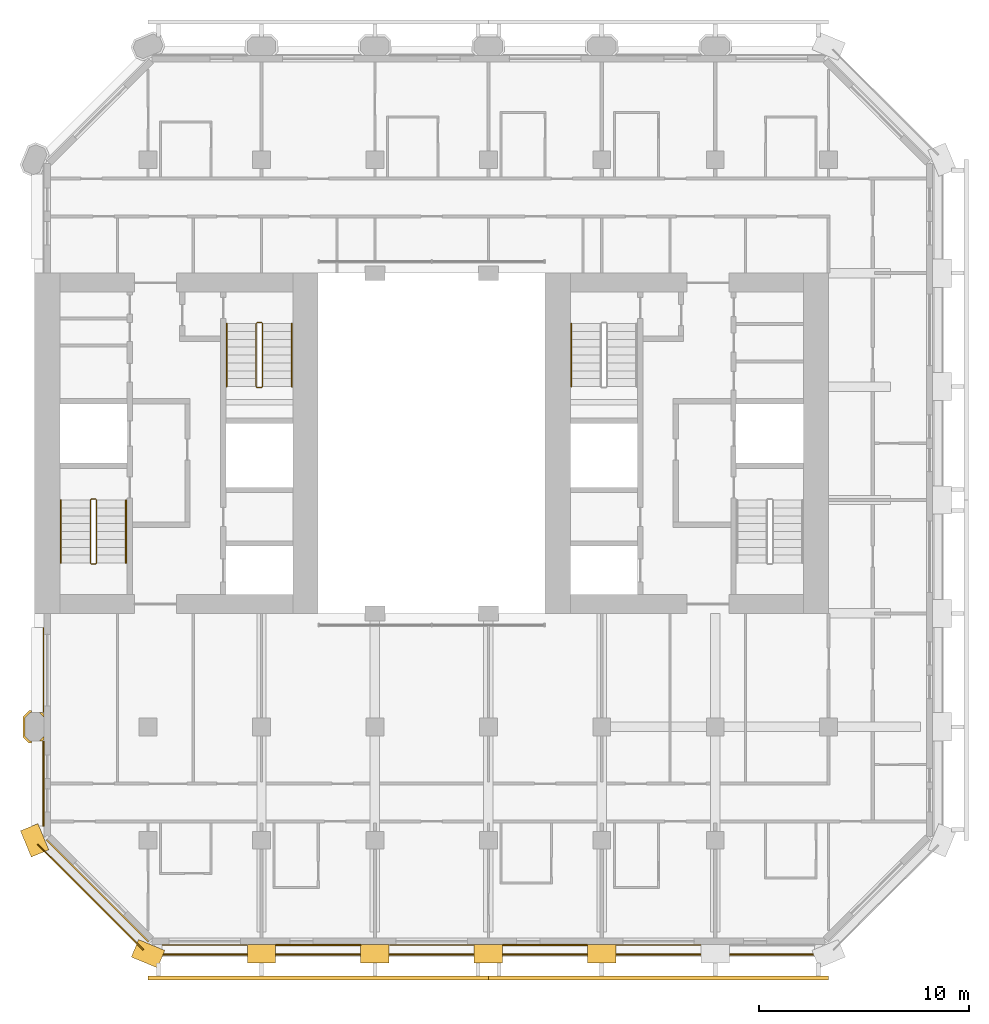
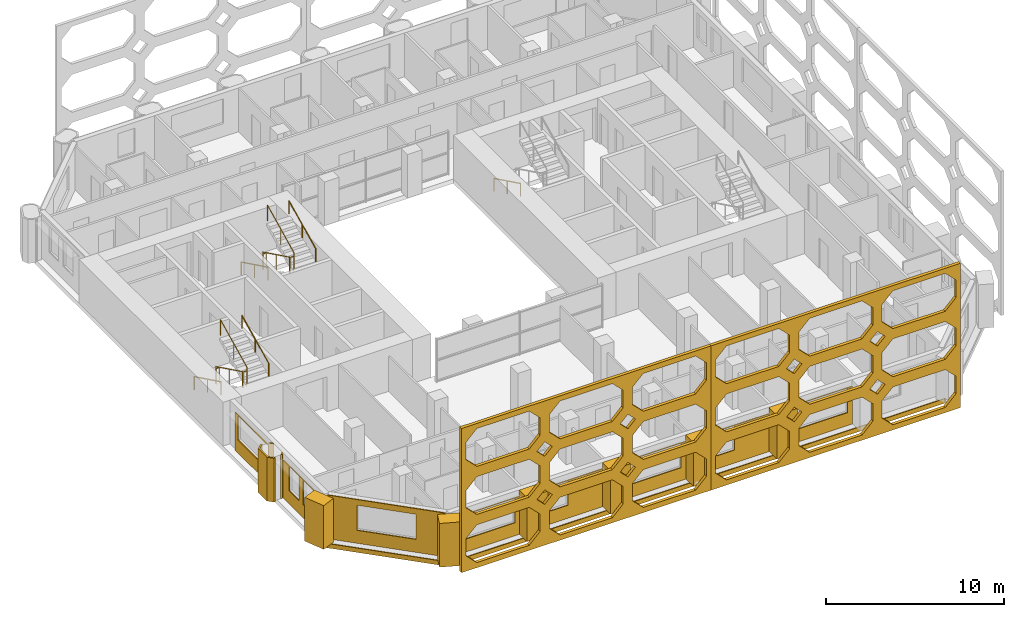
# One storey, part 12 of 14: 21 coverings, 7 railings.
"""IFC4 building model written with IfcOpenShell, lengths in metres."""

from ifc_helpers import new_model, si_unit, direction, frame, frame_2d, origin, origin_2d, place, context, subcontext, project, spatial, polyline, rectangle, circle, outline, extrude, material, layer, layer_set, type_object, element, save


model = new_model("IFC4")

# Units and contexts
model_context = context("Model", 3, precision=1e-05, world=origin(), true_north=direction((0.0, 1.0)))
body_context = subcontext(model_context, "Body", "Model", "MODEL_VIEW")
ifc_project = project(units=[si_unit("LENGTHUNIT", "METRE"), si_unit("AREAUNIT", "SQUARE_METRE"), si_unit("VOLUMEUNIT", "CUBIC_METRE"), si_unit("PLANEANGLEUNIT", "RADIAN"), si_unit("MASSUNIT", "GRAM", prefix="KILO")], contexts=[model_context])

# Site, building, storey
site_placement = place(None, origin())
site = spatial("IfcSite", under=ifc_project, at=site_placement, CompositionType="ELEMENT")
building_placement = place(site_placement, origin())
building = spatial("IfcBuilding", under=site, at=building_placement, Name="Tabaq Tower and Sports Hall", CompositionType="ELEMENT")
storey_placement = place(building_placement, frame((0.0, 0.0, 166.0)))
storey = spatial("IfcBuildingStorey", under=building, at=storey_placement, Name="L39", CompositionType="ELEMENT", Elevation=166.0)

# Coverings
ifc_material_1 = material(Name="Precast concrete C60/75", Category="concrete")
ifc_layer_1 = layer(ifc_material_1, 0.10009765625)
ifc_layer_set_1 = layer_set([ifc_layer_1], Name="Column cladding 100")
covering_type_1 = type_object("IfcCoveringType", Name="Column cladding 100", PredefinedType="CLADDING", material=ifc_layer_set_1)
covering_1_placement = place(storey_placement, origin())
element("IfcCovering", 1, at=covering_1_placement, inside=storey, type_object=covering_type_1, Name="Column cladding L39 PC-2C-H1", PredefinedType="CLADDING", context=body_context, shape_type="SweptSolid", body=[
    extrude(outline(polyline([(5.1337890625, 10.025390625), (4.850341796875, 10.30859375), (4.850341796875, 11.291259765625), (5.1337890625, 11.57470703125), (5.249755859375, 11.57470703125), (5.249755859375, 11.475341796875), (5.1748046875, 11.475341796875), (4.94970703125, 11.250244140625), (4.94970703125, 10.349853515625), (5.1748046875, 10.124755859375), (5.249755859375, 10.124755859375), (5.249755859375, 10.025390625), (5.1337890625, 10.025390625)])), origin(), (0.0, 0.0, 1.0), 3.0),
])
covering_2_placement = place(storey_placement, origin())
element("IfcCovering", 2, at=covering_2_placement, inside=storey, type_object=covering_type_1, Name="Column cladding L39 PC-2C-H1 2", PredefinedType="CLADDING", context=body_context, shape_type="SweptSolid", body=[
    extrude(outline(polyline([(5.766357421875, 10.125244140625), (5.625732421875, 10.125244140625), (5.849609375, 10.349365234375), (5.849609375, 10.208740234375), (5.766357421875, 10.125244140625)])), origin(), (0.0, 0.0, 1.0), 3.0),
])
covering_3_placement = place(storey_placement, origin())
element("IfcCovering", 3, at=covering_3_placement, inside=storey, type_object=covering_type_1, Name="Column cladding L39 PC-2C-H1 3", PredefinedType="CLADDING", context=body_context, shape_type="SweptSolid", body=[
    extrude(outline(polyline([(5.849609375, 11.391357421875), (5.849609375, 11.250732421875), (5.625732421875, 11.474609375), (5.766357421875, 11.474609375), (5.849609375, 11.391357421875)])), origin(), (0.0, 0.0, 1.0), 3.0),
])
ifc_material_2 = material(Name="Precast concrete C60/75", Category="concrete")
ifc_layer_2 = layer(ifc_material_2, 0.06005859375)
ifc_layer_set_2 = layer_set([ifc_layer_2], Name="Edge beam cladding 60")
covering_type_2 = type_object("IfcCoveringType", Name="Edge beam cladding 60", PredefinedType="CLADDING", material=ifc_layer_set_2)
covering_4_placement = place(storey_placement, frame((11.0986328125, -0.030029296875, -0.300048828125), z_axis=(0.0, 0.0, 1.0), x_axis=(1.0, 0.0, 0.0)))
element("IfcCovering", 4, at=covering_4_placement, inside=storey, type_object=covering_type_2, Name="Edge beam cladding L39 1", PredefinedType="CLADDING", context=body_context, shape_type="SweptSolid", body=[
    extrude(rectangle(XDim=31.802734375, YDim=0.06005859375, at=frame_2d((15.9013671875, 0.0))), origin(), (0.0, 0.0, 1.0), 0.300048828125),
])
covering_5_placement = place(storey_placement, frame((5.5556640625, 5.201904296875, -0.300048828125), z_axis=(0.0, 0.0, 1.0), x_axis=(0.707106781187, -0.707106781187, 0.0)))
element("IfcCovering", 5, at=covering_5_placement, inside=storey, type_object=covering_type_2, Name="Edge beam cladding L39 5", PredefinedType="CLADDING", context=body_context, shape_type="SweptSolid", body=[
    extrude(rectangle(XDim=7.087890625, YDim=0.06005859375, at=frame_2d((3.5439453125, 0.0))), origin(), (0.0, 0.0, 1.0), 0.300048828125),
])
ifc_material_3 = material(Name="White precast concrete C60/75", Category="concrete")
covering_type_3 = type_object("IfcCoveringType", Name="Pier cladding hung 1350x900", PredefinedType="CLADDING", material=ifc_material_3)
for number, where, z_axis, x_axis, name in (
    (6, (5.1416015625, 6.023681640625, 0.0), (0.0, 0.0, 1.0), (0.382649923473, -0.923893411637, 0.0), "Hung pier cladding 1/1"),
    (7, (10.17626953125, 0.25830078125, 0.0), (0.0, 0.0, 1.0), (0.923893411637, -0.382649923473, 0.0), "Hung pier cladding 2/0"),
    (8, (15.52490234375, 0.0, 0.0), (0.0, 0.0, 1.0), (1.0, 0.0, 0.0), "Hung pier cladding 3/0"),
):
    element("IfcCovering", number, at=place(storey_placement, frame(where, z_axis=z_axis, x_axis=x_axis)), inside=storey, type_object=covering_type_3, Name=name, PredefinedType="CLADDING", context=body_context, shape_type="SweptSolid", body=[
        extrude(rectangle(XDim=1.35009765625, YDim=0.89990234375, at=frame_2d((0.675048828125, 0.0))), origin(), (0.0, 0.0, 1.0), 3.0),
    ])
covering_6_placement = place(storey_placement, frame((20.925048828125, 0.0, 0.0), z_axis=(0.0, 0.0, 1.0), x_axis=(1.0, 0.0, 0.0)))
element("IfcCovering", 9, at=covering_6_placement, inside=storey, type_object=covering_type_3, Name="Hung pier cladding 4/0", PredefinedType="CLADDING", context=body_context, shape_type="SweptSolid", body=[
    extrude(rectangle(XDim=1.349853515625, YDim=0.89990234375, at=frame_2d((0.6748046875, 0.0))), origin(), (0.0, 0.0, 1.0), 3.0),
])
covering_7_placement = place(storey_placement, frame((26.324951171875, 0.0, 0.0), z_axis=(0.0, 0.0, 1.0), x_axis=(1.0, 0.0, 0.0)))
element("IfcCovering", 10, at=covering_7_placement, inside=storey, type_object=covering_type_3, Name="Hung pier cladding 5/0", PredefinedType="CLADDING", context=body_context, shape_type="SweptSolid", body=[
    extrude(rectangle(XDim=1.35009765625, YDim=0.89990234375, at=frame_2d((0.675048828125, 0.0))), origin(), (0.0, 0.0, 1.0), 3.0),
])
covering_8_placement = place(storey_placement, frame((31.72509765625, 0.0, 0.0), z_axis=(0.0, 0.0, 1.0), x_axis=(1.0, 0.0, 0.0)))
element("IfcCovering", 11, at=covering_8_placement, inside=storey, type_object=covering_type_3, Name="Hung pier cladding 6/0", PredefinedType="CLADDING", context=body_context, shape_type="SweptSolid", body=[
    extrude(rectangle(XDim=1.349853515625, YDim=0.89990234375, at=frame_2d((0.6748046875, 0.0))), origin(), (0.0, 0.0, 1.0), 3.0),
])

# Railings
ifc_material_4 = material(Name="Stainless steel", Category="steel")
railing_type_1 = type_object("IfcRailingType", Name="Stair guard", PredefinedType="GUARDRAIL", material=ifc_material_4)
railing_1_placement = place(storey_placement, frame((8.300048828125, 21.64990234375, 0.0)))
element("IfcRailing", 12, at=railing_1_placement, inside=storey, type_object=railing_type_1, Name="L39 ST1 stair guard 1", PredefinedType="GUARDRAIL", context=body_context, shape_type="SweptSolid", body=[
    extrude(circle(Radius=0.02392578125, at=origin_2d()), frame((0.0, 0.0, 1.076171875), z_axis=(-1.0, 0.0, 0.0), x_axis=(0.0, -1.0, 0.0)), (0.0, 0.0, 1.0), 0.199951171875),
    extrude(circle(Radius=0.02392578125, at=origin_2d()), frame((-0.199951171875, 0.0, 1.076171875), z_axis=(-0.254733673405, -0.25349107012, 0.933195066962), x_axis=(0.705375805398, -0.708833529934, 0.0)), (0.0, 0.0, 1.0), 0.196533203125),
    extrude(circle(Radius=0.02392578125, at=origin_2d()), frame((-0.25, -0.0498046875, 1.25927734375), z_axis=(0.0, -0.898397823093, 0.439182594671), x_axis=(1.0, 0.0, 0.0)), (0.0, 0.0, 1.0), 3.33935546875),
    extrude(circle(Radius=0.02392578125, at=origin_2d()), frame((-0.25, -3.0498046875, 2.72607421875), z_axis=(0.707106781187, -0.707106781187, 0.0), x_axis=(0.707106781187, 0.707106781187, 0.0)), (0.0, 0.0, 1.0), 0.07080078125),
    extrude(circle(Radius=0.02392578125, at=origin_2d()), frame((-0.199951171875, -3.099853515625, 2.72607421875), z_axis=(1.0, 0.0, 0.0), x_axis=(0.0, 1.0, 0.0)), (0.0, 0.0, 1.0), 0.199951171875),
    extrude(circle(Radius=0.02392578125, at=origin_2d()), frame((0.0, -3.099853515625, 2.72607421875), z_axis=(0.254653276557, 0.254653276557, 0.932900539971), x_axis=(-0.707106781187, 0.707106781187, 0.0)), (0.0, 0.0, 1.0), 0.196533203125),
    extrude(circle(Radius=0.02392578125, at=origin_2d()), frame((0.050048828125, -3.0498046875, 2.9091796875), z_axis=(0.0, 0.898368975038, 0.439241601728), x_axis=(-1.0, 0.0, 0.0)), (0.0, 0.0, 1.0), 3.33935546875),
    extrude(circle(Radius=0.02099609375, at=origin_2d()), origin(), (0.0, 0.0, 1.0), 1.052001953125),
    extrude(circle(Radius=0.02099609375, at=origin_2d()), frame((-0.199951171875, 0.0, 0.0)), (0.0, 0.0, 1.0), 1.052001953125),
    extrude(circle(Radius=0.02099609375, at=origin_2d()), frame((-0.25, -0.0498046875, 0.183349609375)), (0.0, 0.0, 1.0), 1.052001953125),
    extrude(circle(Radius=0.02099609375, at=origin_2d()), frame((-0.25, -1.5498046875, 0.91650390625)), (0.0, 0.0, 1.0), 1.052001953125),
    extrude(circle(Radius=0.02099609375, at=origin_2d()), frame((-0.25, -3.0498046875, 1.64990234375)), (0.0, 0.0, 1.0), 1.052001953125),
    extrude(circle(Radius=0.02099609375, at=origin_2d()), frame((-0.199951171875, -3.099853515625, 1.64990234375)), (0.0, 0.0, 1.0), 1.052001953125),
    extrude(circle(Radius=0.02099609375, at=origin_2d()), frame((0.0, -3.099853515625, 1.64990234375)), (0.0, 0.0, 1.0), 1.052001953125),
    extrude(circle(Radius=0.02099609375, at=origin_2d()), frame((0.050048828125, -3.0498046875, 1.833251953125)), (0.0, 0.0, 1.0), 1.052001953125),
    extrude(circle(Radius=0.02099609375, at=origin_2d()), frame((0.050048828125, -1.5498046875, 2.566650390625)), (0.0, 0.0, 1.0), 1.052001953125),
    extrude(circle(Radius=0.02099609375, at=origin_2d()), frame((0.050048828125, -0.0498046875, 3.300048828125)), (0.0, 0.0, 1.0), 1.052001953125),
])
railing_2_placement = place(storey_placement, frame((16.199951171875, 30.050048828125, 0.0)))
element("IfcRailing", 13, at=railing_2_placement, inside=storey, type_object=railing_type_1, Name="L39 ST2 stair guard 1", PredefinedType="GUARDRAIL", context=body_context, shape_type="SweptSolid", body=[
    extrude(circle(Radius=0.02392578125, at=origin_2d()), frame((0.0, 0.0, 1.076171875), z_axis=(-1.0, 0.0, 0.0), x_axis=(0.0, -1.0, 0.0)), (0.0, 0.0, 1.0), 0.199951171875),
    extrude(circle(Radius=0.02392578125, at=origin_2d()), frame((-0.199951171875, 0.0, 1.076171875), z_axis=(-0.254653276557, -0.254653276557, 0.932900539971), x_axis=(0.707106781187, -0.707106781187, 0.0)), (0.0, 0.0, 1.0), 0.196533203125),
    extrude(circle(Radius=0.02392578125, at=origin_2d()), frame((-0.25, -0.050048828125, 1.25927734375), z_axis=(0.0, -0.898397823093, 0.439182594671), x_axis=(1.0, 0.0, 0.0)), (0.0, 0.0, 1.0), 3.33935546875),
    extrude(circle(Radius=0.02392578125, at=origin_2d()), frame((-0.25, -3.050048828125, 2.72607421875), z_axis=(0.707106781187, -0.707106781187, 0.0), x_axis=(0.707106781187, 0.707106781187, 0.0)), (0.0, 0.0, 1.0), 0.07080078125),
    extrude(circle(Radius=0.02392578125, at=origin_2d()), frame((-0.199951171875, -3.10009765625, 2.72607421875), z_axis=(1.0, 0.0, 0.0), x_axis=(0.0, 1.0, 0.0)), (0.0, 0.0, 1.0), 0.199951171875),
    extrude(circle(Radius=0.02392578125, at=origin_2d()), frame((0.0, -3.10009765625, 2.72607421875), z_axis=(0.254653276557, 0.254653276557, 0.932900539971), x_axis=(-0.707106781187, 0.707106781187, 0.0)), (0.0, 0.0, 1.0), 0.196533203125),
    extrude(circle(Radius=0.02392578125, at=origin_2d()), frame((0.050048828125, -3.050048828125, 2.9091796875), z_axis=(0.0, 0.898368975038, 0.439241601728), x_axis=(-1.0, 0.0, 0.0)), (0.0, 0.0, 1.0), 3.33935546875),
    extrude(circle(Radius=0.02099609375, at=origin_2d()), origin(), (0.0, 0.0, 1.0), 1.052001953125),
    extrude(circle(Radius=0.02099609375, at=origin_2d()), frame((-0.199951171875, 0.0, 0.0)), (0.0, 0.0, 1.0), 1.052001953125),
    extrude(circle(Radius=0.02099609375, at=origin_2d()), frame((-0.25, -0.050048828125, 0.183349609375)), (0.0, 0.0, 1.0), 1.052001953125),
    extrude(circle(Radius=0.02099609375, at=origin_2d()), frame((-0.25, -1.550048828125, 0.91650390625)), (0.0, 0.0, 1.0), 1.052001953125),
    extrude(circle(Radius=0.02099609375, at=origin_2d()), frame((-0.25, -3.050048828125, 1.64990234375)), (0.0, 0.0, 1.0), 1.052001953125),
    extrude(circle(Radius=0.02099609375, at=origin_2d()), frame((-0.199951171875, -3.10009765625, 1.64990234375)), (0.0, 0.0, 1.0), 1.052001953125),
    extrude(circle(Radius=0.02099609375, at=origin_2d()), frame((0.0, -3.10009765625, 1.64990234375)), (0.0, 0.0, 1.0), 1.052001953125),
    extrude(circle(Radius=0.02099609375, at=origin_2d()), frame((0.050048828125, -3.050048828125, 1.833251953125)), (0.0, 0.0, 1.0), 1.052001953125),
    extrude(circle(Radius=0.02099609375, at=origin_2d()), frame((0.050048828125, -1.550048828125, 2.566650390625)), (0.0, 0.0, 1.0), 1.052001953125),
    extrude(circle(Radius=0.02099609375, at=origin_2d()), frame((0.050048828125, -0.050048828125, 3.300048828125)), (0.0, 0.0, 1.0), 1.052001953125),
])
ifc_material_5 = material(Name="Stainless steel", Category="steel")
railing_type_2 = type_object("IfcRailingType", Name="Stair handrail", PredefinedType="HANDRAIL", material=ifc_material_5)
railing_3_placement = place(storey_placement, frame((6.64990234375, 21.60009765625, 0.183349609375)))
element("IfcRailing", 14, at=railing_3_placement, inside=storey, type_object=railing_type_2, Name="L39 ST1 stair handrail 1", PredefinedType="HANDRAIL", context=body_context, shape_type="SweptSolid", body=[
    extrude(circle(Radius=0.02392578125, at=origin_2d()), frame((0.0, 0.0, 0.8759765625), z_axis=(0.0, -0.898397823093, 0.439182594671), x_axis=(1.0, 0.0, 0.0)), (0.0, 0.0, 1.0), 3.33935546875),
    extrude(circle(Radius=0.02099609375, at=origin_2d()), origin(), (0.0, 0.0, 1.0), 0.851806640625),
    extrude(circle(Radius=0.02099609375, at=origin_2d()), frame((0.0, -1.5, 0.7333984375)), (0.0, 0.0, 1.0), 0.851806640625),
    extrude(circle(Radius=0.02099609375, at=origin_2d()), frame((0.0, -3.0, 1.466552734375)), (0.0, 0.0, 1.0), 0.851806640625),
])
railing_4_placement = place(storey_placement, frame((9.75, 18.60009765625, 1.833251953125)))
element("IfcRailing", 15, at=railing_4_placement, inside=storey, type_object=railing_type_2, Name="L39 ST1 stair handrail 2", PredefinedType="HANDRAIL", context=body_context, shape_type="SweptSolid", body=[
    extrude(circle(Radius=0.02392578125, at=origin_2d()), frame((0.0, 0.0, 0.8759765625), z_axis=(0.0, 0.898368975038, 0.439241601728), x_axis=(-1.0, 0.0, 0.0)), (0.0, 0.0, 1.0), 3.33935546875),
    extrude(circle(Radius=0.02099609375, at=origin_2d()), origin(), (0.0, 0.0, 1.0), 0.851806640625),
    extrude(circle(Radius=0.02099609375, at=origin_2d()), frame((0.0, 1.5, 0.7333984375)), (0.0, 0.0, 1.0), 0.851806640625),
    extrude(circle(Radius=0.02099609375, at=origin_2d()), frame((0.0, 3.0, 1.466796875)), (0.0, 0.0, 1.0), 0.851806640625),
])
railing_5_placement = place(storey_placement, frame((14.550048828125, 30.0, 0.183349609375)))
element("IfcRailing", 16, at=railing_5_placement, inside=storey, type_object=railing_type_2, Name="L39 ST2 stair handrail 1", PredefinedType="HANDRAIL", context=body_context, shape_type="SweptSolid", body=[
    extrude(circle(Radius=0.02392578125, at=origin_2d()), frame((0.0, 0.0, 0.8759765625), z_axis=(0.0, -0.898397823093, 0.439182594671), x_axis=(1.0, 0.0, 0.0)), (0.0, 0.0, 1.0), 3.33935546875),
    extrude(circle(Radius=0.02099609375, at=origin_2d()), origin(), (0.0, 0.0, 1.0), 0.851806640625),
    extrude(circle(Radius=0.02099609375, at=origin_2d()), frame((0.0, -1.5, 0.7333984375)), (0.0, 0.0, 1.0), 0.851806640625),
    extrude(circle(Radius=0.02099609375, at=origin_2d()), frame((0.0, -3.0, 1.466552734375)), (0.0, 0.0, 1.0), 0.851806640625),
])
railing_6_placement = place(storey_placement, frame((17.64990234375, 27.0, 1.833251953125)))
element("IfcRailing", 17, at=railing_6_placement, inside=storey, type_object=railing_type_2, Name="L39 ST2 stair handrail 2", PredefinedType="HANDRAIL", context=body_context, shape_type="SweptSolid", body=[
    extrude(circle(Radius=0.02392578125, at=origin_2d()), frame((0.0, 0.0, 0.8759765625), z_axis=(0.0, 0.898368975038, 0.439241601728), x_axis=(-1.0, 0.0, 0.0)), (0.0, 0.0, 1.0), 3.33935546875),
    extrude(circle(Radius=0.02099609375, at=origin_2d()), origin(), (0.0, 0.0, 1.0), 0.851806640625),
    extrude(circle(Radius=0.02099609375, at=origin_2d()), frame((0.0, 1.5, 0.7333984375)), (0.0, 0.0, 1.0), 0.851806640625),
    extrude(circle(Radius=0.02099609375, at=origin_2d()), frame((0.0, 3.0, 1.466796875)), (0.0, 0.0, 1.0), 0.851806640625),
])
railing_7_placement = place(storey_placement, frame((30.949951171875, 30.0, 0.183349609375)))
element("IfcRailing", 18, at=railing_7_placement, inside=storey, type_object=railing_type_2, Name="L39 ST4 stair handrail 1", PredefinedType="HANDRAIL", context=body_context, shape_type="SweptSolid", body=[
    extrude(circle(Radius=0.02392578125, at=origin_2d()), frame((0.0, 0.0, 0.8759765625), z_axis=(0.0, -0.898397823093, 0.439182594671), x_axis=(1.0, 0.0, 0.0)), (0.0, 0.0, 1.0), 3.33935546875),
    extrude(circle(Radius=0.02099609375, at=origin_2d()), origin(), (0.0, 0.0, 1.0), 0.851806640625),
    extrude(circle(Radius=0.02099609375, at=origin_2d()), frame((0.0, -1.5, 0.7333984375)), (0.0, 0.0, 1.0), 0.851806640625),
    extrude(circle(Radius=0.02099609375, at=origin_2d()), frame((0.0, -3.0, 1.466552734375)), (0.0, 0.0, 1.0), 0.851806640625),
])

# Coverings
ifc_material_6 = material(Name="White precast concrete C60/75 pierced screen", Category="concrete")
ifc_layer_3 = layer(ifc_material_6, 0.199951171875)
ifc_layer_set_3 = layer_set([ifc_layer_3], Name="TRACERY SCREEN 200 C60/75")
covering_type_4 = type_object("IfcCoveringType", Name="TRACERY SCREEN 200 C60/75", PredefinedType="CLADDING", material=ifc_layer_set_3)
covering_9_placement = place(storey_placement, frame((10.800048828125, -1.14990234375, 0.0), z_axis=(0.0, 0.0, 1.0), x_axis=(1.0, 0.0, 0.0)))
element("IfcCovering", 19, at=covering_9_placement, inside=storey, type_object=covering_type_4, Name="Tracery screen H1 S L39-L41", PredefinedType="CLADDING", context=body_context, shape_type="SweptSolid", body=[
    extrude(outline(polyline([(0.0, 0.0), (16.199951171875, 0.0), (16.199951171875, 9.89990234375), (0.0, 9.89990234375), (0.0, 0.0)]), holes=[polyline([(1.0, 0.35009765625), (4.39990234375, 0.35009765625), (5.10009765625, 1.050048828125), (5.10009765625, 2.25), (4.39990234375, 2.949951171875), (1.0, 2.949951171875), (0.300048828125, 2.25), (0.300048828125, 1.050048828125), (1.0, 0.35009765625)]), polyline([(6.39990234375, 0.35009765625), (9.800048828125, 0.35009765625), (10.5, 1.050048828125), (10.5, 2.25), (9.800048828125, 2.949951171875), (6.39990234375, 2.949951171875), (5.699951171875, 2.25), (5.699951171875, 1.050048828125), (6.39990234375, 0.35009765625)]), polyline([(11.800048828125, 0.35009765625), (15.199951171875, 0.35009765625), (15.89990234375, 1.050048828125), (15.89990234375, 2.25), (15.199951171875, 2.949951171875), (11.800048828125, 2.949951171875), (11.10009765625, 2.25), (11.10009765625, 1.050048828125), (11.800048828125, 0.35009765625)]), polyline([(1.0, 3.64990234375), (4.39990234375, 3.64990234375), (5.10009765625, 4.35009765625), (5.10009765625, 5.550048828125), (4.39990234375, 6.25), (1.0, 6.25), (0.300048828125, 5.550048828125), (0.300048828125, 4.35009765625), (1.0, 3.64990234375)]), polyline([(6.39990234375, 3.64990234375), (9.800048828125, 3.64990234375), (10.5, 4.35009765625), (10.5, 5.550048828125), (9.800048828125, 6.25), (6.39990234375, 6.25), (5.699951171875, 5.550048828125), (5.699951171875, 4.35009765625), (6.39990234375, 3.64990234375)]), polyline([(11.800048828125, 3.64990234375), (15.199951171875, 3.64990234375), (15.89990234375, 4.35009765625), (15.89990234375, 5.550048828125), (15.199951171875, 6.25), (11.800048828125, 6.25), (11.10009765625, 5.550048828125), (11.10009765625, 4.35009765625), (11.800048828125, 3.64990234375)]), polyline([(1.0, 6.949951171875), (4.39990234375, 6.949951171875), (5.10009765625, 7.64990234375), (5.10009765625, 8.85009765625), (4.39990234375, 9.550048828125), (1.0, 9.550048828125), (0.300048828125, 8.85009765625), (0.300048828125, 7.64990234375), (1.0, 6.949951171875)]), polyline([(6.39990234375, 6.949951171875), (9.800048828125, 6.949951171875), (10.5, 7.64990234375), (10.5, 8.85009765625), (9.800048828125, 9.550048828125), (6.39990234375, 9.550048828125), (5.699951171875, 8.85009765625), (5.699951171875, 7.64990234375), (6.39990234375, 6.949951171875)]), polyline([(11.800048828125, 6.949951171875), (15.199951171875, 6.949951171875), (15.89990234375, 7.64990234375), (15.89990234375, 8.85009765625), (15.199951171875, 9.550048828125), (11.800048828125, 9.550048828125), (11.10009765625, 8.85009765625), (11.10009765625, 7.64990234375), (11.800048828125, 6.949951171875)]), polyline([(5.89990234375, 3.300048828125), (5.39990234375, 3.800048828125), (4.89990234375, 3.300048828125), (5.39990234375, 2.800048828125), (5.89990234375, 3.300048828125)]), polyline([(11.300048828125, 3.300048828125), (10.800048828125, 3.800048828125), (10.300048828125, 3.300048828125), (10.800048828125, 2.800048828125), (11.300048828125, 3.300048828125)]), polyline([(5.89990234375, 6.60009765625), (5.39990234375, 7.10009765625), (4.89990234375, 6.60009765625), (5.39990234375, 6.10009765625), (5.89990234375, 6.60009765625)]), polyline([(11.300048828125, 6.60009765625), (10.800048828125, 7.10009765625), (10.300048828125, 6.60009765625), (10.800048828125, 6.10009765625), (11.300048828125, 6.60009765625)])]), frame((0.0, 0.10009765625, 0.0), z_axis=(0.0, -1.0, 0.0), x_axis=(1.0, 0.0, 0.0)), (0.0, 0.0, 1.0), 0.199951171875),
])
covering_10_placement = place(storey_placement, frame((27.0, -1.14990234375, 0.0), z_axis=(0.0, 0.0, 1.0), x_axis=(1.0, 0.0, 0.0)))
element("IfcCovering", 20, at=covering_10_placement, inside=storey, type_object=covering_type_4, Name="Tracery screen H1 S L39-L41", PredefinedType="CLADDING", context=body_context, shape_type="SweptSolid", body=[
    extrude(outline(polyline([(0.0, 0.0), (16.199951171875, 0.0), (16.199951171875, 9.89990234375), (0.0, 9.89990234375), (0.0, 0.0)]), holes=[polyline([(1.0, 0.35009765625), (4.39990234375, 0.35009765625), (5.10009765625, 1.050048828125), (5.10009765625, 2.25), (4.39990234375, 2.949951171875), (1.0, 2.949951171875), (0.300048828125, 2.25), (0.300048828125, 1.050048828125), (1.0, 0.35009765625)]), polyline([(6.39990234375, 0.35009765625), (9.800048828125, 0.35009765625), (10.5, 1.050048828125), (10.5, 2.25), (9.800048828125, 2.949951171875), (6.39990234375, 2.949951171875), (5.699951171875, 2.25), (5.699951171875, 1.050048828125), (6.39990234375, 0.35009765625)]), polyline([(11.800048828125, 0.35009765625), (15.199951171875, 0.35009765625), (15.89990234375, 1.050048828125), (15.89990234375, 2.25), (15.199951171875, 2.949951171875), (11.800048828125, 2.949951171875), (11.10009765625, 2.25), (11.10009765625, 1.050048828125), (11.800048828125, 0.35009765625)]), polyline([(1.0, 3.64990234375), (4.39990234375, 3.64990234375), (5.10009765625, 4.35009765625), (5.10009765625, 5.550048828125), (4.39990234375, 6.25), (1.0, 6.25), (0.300048828125, 5.550048828125), (0.300048828125, 4.35009765625), (1.0, 3.64990234375)]), polyline([(6.39990234375, 3.64990234375), (9.800048828125, 3.64990234375), (10.5, 4.35009765625), (10.5, 5.550048828125), (9.800048828125, 6.25), (6.39990234375, 6.25), (5.699951171875, 5.550048828125), (5.699951171875, 4.35009765625), (6.39990234375, 3.64990234375)]), polyline([(11.800048828125, 3.64990234375), (15.199951171875, 3.64990234375), (15.89990234375, 4.35009765625), (15.89990234375, 5.550048828125), (15.199951171875, 6.25), (11.800048828125, 6.25), (11.10009765625, 5.550048828125), (11.10009765625, 4.35009765625), (11.800048828125, 3.64990234375)]), polyline([(1.0, 6.949951171875), (4.39990234375, 6.949951171875), (5.10009765625, 7.64990234375), (5.10009765625, 8.85009765625), (4.39990234375, 9.550048828125), (1.0, 9.550048828125), (0.300048828125, 8.85009765625), (0.300048828125, 7.64990234375), (1.0, 6.949951171875)]), polyline([(6.39990234375, 6.949951171875), (9.800048828125, 6.949951171875), (10.5, 7.64990234375), (10.5, 8.85009765625), (9.800048828125, 9.550048828125), (6.39990234375, 9.550048828125), (5.699951171875, 8.85009765625), (5.699951171875, 7.64990234375), (6.39990234375, 6.949951171875)]), polyline([(11.800048828125, 6.949951171875), (15.199951171875, 6.949951171875), (15.89990234375, 7.64990234375), (15.89990234375, 8.85009765625), (15.199951171875, 9.550048828125), (11.800048828125, 9.550048828125), (11.10009765625, 8.85009765625), (11.10009765625, 7.64990234375), (11.800048828125, 6.949951171875)]), polyline([(5.89990234375, 3.300048828125), (5.39990234375, 3.800048828125), (4.89990234375, 3.300048828125), (5.39990234375, 2.800048828125), (5.89990234375, 3.300048828125)]), polyline([(11.300048828125, 3.300048828125), (10.800048828125, 3.800048828125), (10.300048828125, 3.300048828125), (10.800048828125, 2.800048828125), (11.300048828125, 3.300048828125)]), polyline([(5.89990234375, 6.60009765625), (5.39990234375, 7.10009765625), (4.89990234375, 6.60009765625), (5.39990234375, 6.10009765625), (5.89990234375, 6.60009765625)]), polyline([(11.300048828125, 6.60009765625), (10.800048828125, 7.10009765625), (10.300048828125, 6.60009765625), (10.800048828125, 6.10009765625), (11.300048828125, 6.60009765625)])]), frame((0.0, 0.10009765625, 0.0), z_axis=(0.0, -1.0, 0.0), x_axis=(1.0, 0.0, 0.0)), (0.0, 0.0, 1.0), 0.199951171875),
])
ifc_material_7 = material(Name="Precast concrete C60/75", Category="concrete")
ifc_layer_4 = layer(ifc_material_7, 0.06005859375)
ifc_layer_set_4 = layer_set([ifc_layer_4], Name="White precast cladding panel 60 C60/75")
covering_type_5 = type_object("IfcCoveringType", Name="White precast cladding panel 60 C60/75", PredefinedType="CLADDING", material=ifc_layer_set_4)
covering_11_placement = place(storey_placement, frame((11.465087890625, 0.419921875, 0.0), z_axis=(0.0, 0.0, 1.0), x_axis=(1.0, 0.0, 0.0)))
element("IfcCovering", 21, at=covering_11_placement, inside=storey, type_object=covering_type_5, Name="White precast cladding panel L39 wall00", PredefinedType="CLADDING", context=body_context, shape_type="SweptSolid", body=[
    extrude(outline(polyline([(0.0, 0.0), (4.0498046875, 0.0), (4.0498046875, 2.590087890625), (0.0, 2.590087890625), (0.0, 0.0)]), holes=[polyline([(3.7451171875, 0.889892578125), (0.324951171875, 0.889892578125), (0.324951171875, 2.56005859375), (3.7451171875, 2.56005859375), (3.7451171875, 0.889892578125)])]), frame((0.0, 0.030029296875, 0.0), z_axis=(0.0, -1.0, 0.0), x_axis=(1.0, 0.0, 0.0)), (0.0, 0.0, 1.0), 0.06005859375),
])
covering_12_placement = place(storey_placement, frame((16.885009765625, 0.419921875, 0.0), z_axis=(0.0, 0.0, 1.0), x_axis=(1.0, 0.0, 0.0)))
element("IfcCovering", 22, at=covering_12_placement, inside=storey, type_object=covering_type_5, Name="White precast cladding panel L39 wall00 2", PredefinedType="CLADDING", context=body_context, shape_type="SweptSolid", body=[
    extrude(outline(polyline([(0.0, 0.0), (4.030029296875, 0.0), (4.030029296875, 2.590087890625), (0.0, 2.590087890625), (0.0, 0.0)]), holes=[polyline([(1.77490234375, 0.889892578125), (0.655029296875, 0.889892578125), (0.655029296875, 2.56005859375), (1.77490234375, 2.56005859375), (1.77490234375, 0.889892578125)])]), frame((0.0, 0.030029296875, 0.0), z_axis=(0.0, -1.0, 0.0), x_axis=(1.0, 0.0, 0.0)), (0.0, 0.0, 1.0), 0.06005859375),
])
covering_13_placement = place(storey_placement, frame((22.284912109375, 0.419921875, 0.0), z_axis=(0.0, 0.0, 1.0), x_axis=(1.0, 0.0, 0.0)))
element("IfcCovering", 23, at=covering_13_placement, inside=storey, type_object=covering_type_5, Name="White precast cladding panel L39 wall00 3", PredefinedType="CLADDING", context=body_context, shape_type="SweptSolid", body=[
    extrude(outline(polyline([(0.0, 0.0), (4.030029296875, 0.0), (4.030029296875, 2.590087890625), (0.0, 2.590087890625), (0.0, 0.0)]), holes=[polyline([(3.72509765625, 0.889892578125), (0.304931640625, 0.889892578125), (0.304931640625, 2.56005859375), (3.72509765625, 2.56005859375), (3.72509765625, 0.889892578125)])]), frame((0.0, 0.030029296875, 0.0), z_axis=(0.0, -1.0, 0.0), x_axis=(1.0, 0.0, 0.0)), (0.0, 0.0, 1.0), 0.06005859375),
])
covering_14_placement = place(storey_placement, frame((27.68505859375, 0.419921875, 0.0), z_axis=(0.0, 0.0, 1.0), x_axis=(1.0, 0.0, 0.0)))
element("IfcCovering", 24, at=covering_14_placement, inside=storey, type_object=covering_type_5, Name="White precast cladding panel L39 wall00 4", PredefinedType="CLADDING", context=body_context, shape_type="SweptSolid", body=[
    extrude(outline(polyline([(0.0, 0.0), (4.030029296875, 0.0), (4.030029296875, 2.590087890625), (0.0, 2.590087890625), (0.0, 0.0)]), holes=[polyline([(1.77490234375, 0.889892578125), (0.655029296875, 0.889892578125), (0.655029296875, 2.56005859375), (1.77490234375, 2.56005859375), (1.77490234375, 0.889892578125)])]), frame((0.0, 0.030029296875, 0.0), z_axis=(0.0, -1.0, 0.0), x_axis=(1.0, 0.0, 0.0)), (0.0, 0.0, 1.0), 0.06005859375),
])
covering_15_placement = place(storey_placement, frame((33.0849609375, 0.419921875, 0.0), z_axis=(0.0, 0.0, 1.0), x_axis=(1.0, 0.0, 0.0)))
element("IfcCovering", 25, at=covering_15_placement, inside=storey, type_object=covering_type_5, Name="White precast cladding panel L39 wall00 5", PredefinedType="CLADDING", context=body_context, shape_type="SweptSolid", body=[
    extrude(outline(polyline([(0.0, 0.0), (4.030029296875, 0.0), (4.030029296875, 2.590087890625), (0.0, 2.590087890625), (0.0, 0.0)]), holes=[polyline([(3.72509765625, 0.889892578125), (0.304931640625, 0.889892578125), (0.304931640625, 2.56005859375), (3.72509765625, 2.56005859375), (3.72509765625, 0.889892578125)])]), frame((0.0, 0.030029296875, 0.0), z_axis=(0.0, -1.0, 0.0), x_axis=(1.0, 0.0, 0.0)), (0.0, 0.0, 1.0), 0.06005859375),
])
covering_16_placement = place(storey_placement, frame((5.820068359375, 15.534912109375, 0.0), z_axis=(0.0, 0.0, 1.0), x_axis=(0.0, -1.0, 0.0)))
element("IfcCovering", 26, at=covering_16_placement, inside=storey, type_object=covering_type_5, Name="White precast cladding panel L39 wall06-1", PredefinedType="CLADDING", context=body_context, shape_type="SweptSolid", body=[
    extrude(outline(polyline([(0.0, 0.0), (4.0498046875, 0.0), (4.0498046875, 2.590087890625), (0.0, 2.590087890625), (0.0, 0.0)]), holes=[polyline([(3.7451171875, 0.889892578125), (0.324951171875, 0.889892578125), (0.324951171875, 2.56005859375), (3.7451171875, 2.56005859375), (3.7451171875, 0.889892578125)])]), frame((0.0, 0.030029296875, 0.0), z_axis=(0.0, -1.0, 0.0), x_axis=(1.0, 0.0, 0.0)), (0.0, 0.0, 1.0), 0.06005859375),
])
covering_17_placement = place(storey_placement, frame((5.820068359375, 10.114990234375, 0.0), z_axis=(0.0, 0.0, 1.0), x_axis=(0.0, -1.0, 0.0)))
element("IfcCovering", 27, at=covering_17_placement, inside=storey, type_object=covering_type_5, Name="White precast cladding panel L39 wall06-1 2", PredefinedType="CLADDING", context=body_context, shape_type="SweptSolid", body=[
    extrude(outline(polyline([(0.0, 0.0), (4.050048828125, 0.0), (4.050048828125, 2.590087890625), (0.0, 2.590087890625), (0.0, 0.0)]), holes=[polyline([(0.655029296875, 0.889892578125), (0.655029296875, 2.56005859375), (1.77490234375, 2.56005859375), (1.77490234375, 0.889892578125), (0.655029296875, 0.889892578125)]), polyline([(2.2548828125, 0.889892578125), (2.2548828125, 2.56005859375), (3.375, 2.56005859375), (3.375, 0.889892578125), (2.2548828125, 0.889892578125)])]), frame((0.0, 0.030029296875, 0.0), z_axis=(0.0, -1.0, 0.0), x_axis=(1.0, 0.0, 0.0)), (0.0, 0.0, 1.0), 0.06005859375),
])
covering_18_placement = place(storey_placement, frame((5.9716796875, 5.42236328125, 0.0), z_axis=(0.0, 0.0, 1.0), x_axis=(0.707106781187, -0.707106781187, 0.0)))
element("IfcCovering", 28, at=covering_18_placement, inside=storey, type_object=covering_type_5, Name="White precast cladding panel L39 wall07", PredefinedType="CLADDING", context=body_context, shape_type="SweptSolid", body=[
    extrude(outline(polyline([(0.0, 0.0), (6.85986328125, 0.0), (6.85986328125, 3.0), (0.0, 3.0), (0.0, 0.0)]), holes=[polyline([(1.7197265625, 0.889892578125), (1.7197265625, 2.610107421875), (5.139892578125, 2.610107421875), (5.139892578125, 0.889892578125), (1.7197265625, 0.889892578125)])]), frame((0.0, 0.030029296875, 0.0), z_axis=(0.0, -1.0, 0.0), x_axis=(1.0, 0.0, 0.0)), (0.0, 0.0, 1.0), 0.06005859375),
])

save(model, "model.ifc")
